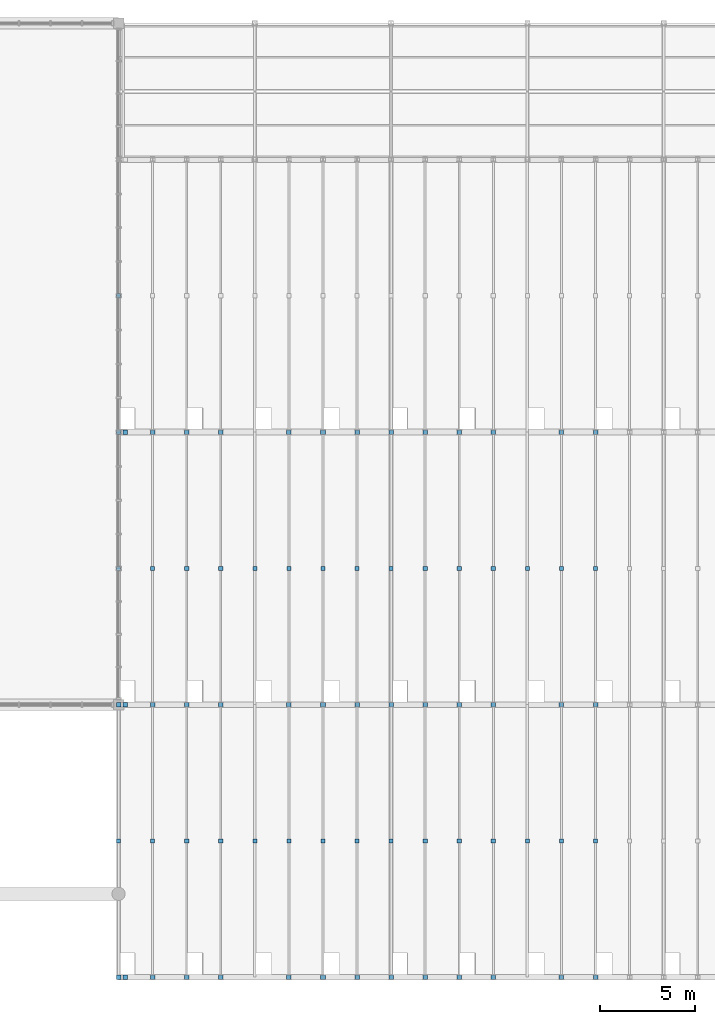
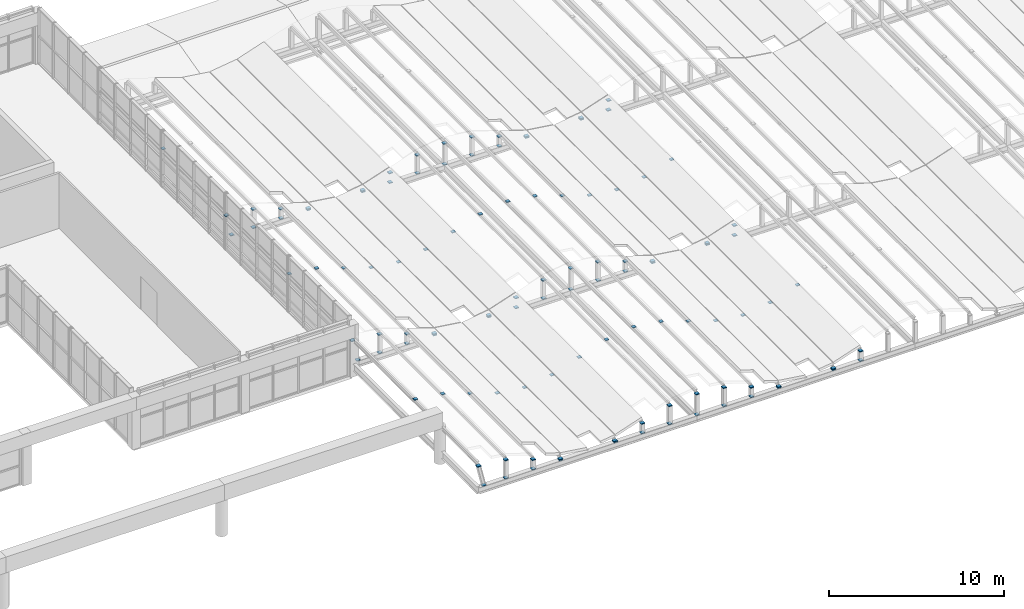
# One storey, part 71 of 83: 109 discrete accessories.
"""IFC4 building model written with IfcOpenShell, lengths in metres."""

from ifc_helpers import new_model, si_unit, direction, frame, origin, origin_2d, place, context, subcontext, project, spatial, rectangle, extrude, material, type_object, element, save


model = new_model("IFC4")

# Units and contexts
model_context = context("Model", 3, precision=1e-05, world=origin(), true_north=direction((0.0, 1.0)))
body_context = subcontext(model_context, "Body", "Model", "MODEL_VIEW")
ifc_project = project(units=[si_unit("LENGTHUNIT", "METRE"), si_unit("AREAUNIT", "SQUARE_METRE"), si_unit("VOLUMEUNIT", "CUBIC_METRE"), si_unit("PLANEANGLEUNIT", "RADIAN"), si_unit("MASSUNIT", "GRAM", prefix="KILO")], contexts=[model_context])

# Site, building, storey
site_placement = place(None, origin())
site = spatial("IfcSite", under=ifc_project, at=site_placement, CompositionType="ELEMENT")
building_placement = place(site_placement, origin())
building = spatial("IfcBuilding", under=site, at=building_placement, Name="Leyfeld Transit Interchange", CompositionType="ELEMENT")
storey_placement = place(building_placement, frame((0.0, 0.0, 5.39990234375)))
storey = spatial("IfcBuildingStorey", under=building, at=storey_placement, Name="L01", CompositionType="ELEMENT", Elevation=5.39990234375)

# Discrete accessories
ifc_material = material(Name="Steel S355J2", Category="steel")
discrete_accessory_type = type_object("IfcDiscreteAccessoryType", Name="ACC-BRK-PUR", PredefinedType="BRACKET", material=ifc_material)
discrete_accessory_1_placement = place(storey_placement, frame((100.800048828125, 7.199951171875, 2.60791015625), z_axis=(0.0, 0.0, 1.0), x_axis=(1.0, 0.0, 0.0)))
element("IfcDiscreteAccessory", 1, at=discrete_accessory_1_placement, inside=storey, type_object=discrete_accessory_type, Name="Wave Shell Purlin Cleat 001", PredefinedType="BRACKET", context=body_context, shape_type="SweptSolid", body=[
    extrude(rectangle(XDim=0.219970703125, YDim=0.219970703125, at=origin_2d()), origin(), (0.0, 0.0, 1.0), 0.050048828125),
])
for number, where, z_axis, x_axis, name in (
    (2, (101.14990234375, 0.0, 0.85009765625), (0.0, 0.0, 1.0), (1.0, 0.0, 0.0), "Riser Post Base Shoe 002"),
    (3, (100.800048828125, 0.0, 2.318115234375), (0.0, 0.0, 1.0), (1.0, 0.0, 0.0), "Riser Post Cap Shoe 002"),
):
    element("IfcDiscreteAccessory", number, at=place(storey_placement, frame(where, z_axis=z_axis, x_axis=x_axis)), inside=storey, type_object=discrete_accessory_type, Name=name, PredefinedType="BRACKET", context=body_context, shape_type="SweptSolid", body=[
        extrude(rectangle(XDim=0.239990234375, YDim=0.239990234375, at=origin_2d()), origin(), (0.0, 0.0, 1.0), 0.06005859375),
    ])
discrete_accessory_2_placement = place(storey_placement, frame((100.800048828125, 21.60009765625, 2.623046875), z_axis=(0.0, 0.0, 1.0), x_axis=(1.0, 0.0, 0.0)))
element("IfcDiscreteAccessory", 4, at=discrete_accessory_2_placement, inside=storey, type_object=discrete_accessory_type, Name="Wave Shell Purlin Cleat 003", PredefinedType="BRACKET", context=body_context, shape_type="SweptSolid", body=[
    extrude(rectangle(XDim=0.219970703125, YDim=0.219970703125, at=origin_2d()), origin(), (0.0, 0.0, 1.0), 0.050048828125),
])
for number, where, z_axis, x_axis, name in (
    (5, (101.14990234375, 14.39990234375, 0.85009765625), (0.0, 0.0, 1.0), (1.0, 0.0, 0.0), "Riser Post Base Shoe 004"),
    (6, (100.800048828125, 14.39990234375, 2.333251953125), (0.0, 0.0, 1.0), (1.0, 0.0, 0.0), "Riser Post Cap Shoe 004"),
):
    element("IfcDiscreteAccessory", number, at=place(storey_placement, frame(where, z_axis=z_axis, x_axis=x_axis)), inside=storey, type_object=discrete_accessory_type, Name=name, PredefinedType="BRACKET", context=body_context, shape_type="SweptSolid", body=[
        extrude(rectangle(XDim=0.239990234375, YDim=0.239990234375, at=origin_2d()), origin(), (0.0, 0.0, 1.0), 0.06005859375),
    ])
discrete_accessory_3_placement = place(storey_placement, frame((100.800048828125, 36.0, 2.60791015625), z_axis=(0.0, 0.0, 1.0), x_axis=(1.0, 0.0, 0.0)))
element("IfcDiscreteAccessory", 7, at=discrete_accessory_3_placement, inside=storey, type_object=discrete_accessory_type, Name="Wave Shell Purlin Cleat 005", PredefinedType="BRACKET", context=body_context, shape_type="SweptSolid", body=[
    extrude(rectangle(XDim=0.219970703125, YDim=0.219970703125, at=origin_2d()), origin(), (0.0, 0.0, 1.0), 0.050048828125),
])
for number, where, z_axis, x_axis, name in (
    (8, (101.14990234375, 28.800048828125, 0.85009765625), (0.0, 0.0, 1.0), (1.0, 0.0, 0.0), "Riser Post Base Shoe 006"),
    (9, (100.800048828125, 28.800048828125, 2.318115234375), (0.0, 0.0, 1.0), (1.0, 0.0, 0.0), "Riser Post Cap Shoe 006"),
):
    element("IfcDiscreteAccessory", number, at=place(storey_placement, frame(where, z_axis=z_axis, x_axis=x_axis)), inside=storey, type_object=discrete_accessory_type, Name=name, PredefinedType="BRACKET", context=body_context, shape_type="SweptSolid", body=[
        extrude(rectangle(XDim=0.239990234375, YDim=0.239990234375, at=origin_2d()), origin(), (0.0, 0.0, 1.0), 0.06005859375),
    ])
discrete_accessory_4_placement = place(storey_placement, frame((102.60009765625, 7.199951171875, 2.349609375), z_axis=(0.0, 0.0, 1.0), x_axis=(1.0, 0.0, 0.0)))
element("IfcDiscreteAccessory", 10, at=discrete_accessory_4_placement, inside=storey, type_object=discrete_accessory_type, Name="Wave Shell Purlin Cleat 008", PredefinedType="BRACKET", context=body_context, shape_type="SweptSolid", body=[
    extrude(rectangle(XDim=0.219970703125, YDim=0.219970703125, at=origin_2d()), origin(), (0.0, 0.0, 1.0), 0.050048828125),
])
for number, where, z_axis, x_axis, name in (
    (11, (102.60009765625, 0.0, 0.85009765625), (0.0, 0.0, 1.0), (1.0, 0.0, 0.0), "Riser Post Base Shoe 009"),
    (12, (102.60009765625, 0.0, 2.1298828125), (0.0, 0.0, 1.0), (1.0, 0.0, 0.0), "Riser Post Cap Shoe 009"),
):
    element("IfcDiscreteAccessory", number, at=place(storey_placement, frame(where, z_axis=z_axis, x_axis=x_axis)), inside=storey, type_object=discrete_accessory_type, Name=name, PredefinedType="BRACKET", context=body_context, shape_type="SweptSolid", body=[
        extrude(rectangle(XDim=0.239990234375, YDim=0.239990234375, at=origin_2d()), origin(), (0.0, 0.0, 1.0), 0.06005859375),
    ])
discrete_accessory_5_placement = place(storey_placement, frame((102.60009765625, 21.60009765625, 2.36572265625), z_axis=(0.0, 0.0, 1.0), x_axis=(1.0, 0.0, 0.0)))
element("IfcDiscreteAccessory", 13, at=discrete_accessory_5_placement, inside=storey, type_object=discrete_accessory_type, Name="Wave Shell Purlin Cleat 010", PredefinedType="BRACKET", context=body_context, shape_type="SweptSolid", body=[
    extrude(rectangle(XDim=0.219970703125, YDim=0.219970703125, at=origin_2d()), origin(), (0.0, 0.0, 1.0), 0.050048828125),
])
for number, where, z_axis, x_axis, name in (
    (14, (102.60009765625, 14.39990234375, 0.85009765625), (0.0, 0.0, 1.0), (1.0, 0.0, 0.0), "Riser Post Base Shoe 011"),
    (15, (102.60009765625, 14.39990234375, 2.1455078125), (0.0, 0.0, 1.0), (1.0, 0.0, 0.0), "Riser Post Cap Shoe 011"),
    (16, (102.60009765625, 28.800048828125, 0.85009765625), (0.0, 0.0, 1.0), (1.0, 0.0, 0.0), "Riser Post Base Shoe 013"),
    (17, (102.60009765625, 28.800048828125, 2.1298828125), (0.0, 0.0, 1.0), (1.0, 0.0, 0.0), "Riser Post Cap Shoe 013"),
):
    element("IfcDiscreteAccessory", number, at=place(storey_placement, frame(where, z_axis=z_axis, x_axis=x_axis)), inside=storey, type_object=discrete_accessory_type, Name=name, PredefinedType="BRACKET", context=body_context, shape_type="SweptSolid", body=[
        extrude(rectangle(XDim=0.239990234375, YDim=0.239990234375, at=origin_2d()), origin(), (0.0, 0.0, 1.0), 0.06005859375),
    ])
discrete_accessory_6_placement = place(storey_placement, frame((104.39990234375, 7.199951171875, 1.74658203125), z_axis=(0.0, 0.0, 1.0), x_axis=(1.0, 0.0, 0.0)))
element("IfcDiscreteAccessory", 18, at=discrete_accessory_6_placement, inside=storey, type_object=discrete_accessory_type, Name="Wave Shell Purlin Cleat 015", PredefinedType="BRACKET", context=body_context, shape_type="SweptSolid", body=[
    extrude(rectangle(XDim=0.219970703125, YDim=0.219970703125, at=origin_2d()), origin(), (0.0, 0.0, 1.0), 0.050048828125),
])
for number, where, z_axis, x_axis, name in (
    (19, (104.39990234375, 0.0, 0.85009765625), (0.0, 0.0, 1.0), (1.0, 0.0, 0.0), "Riser Post Base Shoe 016"),
    (20, (104.39990234375, 0.0, 1.526611328125), (0.0, 0.0, 1.0), (1.0, 0.0, 0.0), "Riser Post Cap Shoe 016"),
):
    element("IfcDiscreteAccessory", number, at=place(storey_placement, frame(where, z_axis=z_axis, x_axis=x_axis)), inside=storey, type_object=discrete_accessory_type, Name=name, PredefinedType="BRACKET", context=body_context, shape_type="SweptSolid", body=[
        extrude(rectangle(XDim=0.239990234375, YDim=0.239990234375, at=origin_2d()), origin(), (0.0, 0.0, 1.0), 0.06005859375),
    ])
discrete_accessory_7_placement = place(storey_placement, frame((104.39990234375, 21.60009765625, 1.76220703125), z_axis=(0.0, 0.0, 1.0), x_axis=(1.0, 0.0, 0.0)))
element("IfcDiscreteAccessory", 21, at=discrete_accessory_7_placement, inside=storey, type_object=discrete_accessory_type, Name="Wave Shell Purlin Cleat 017", PredefinedType="BRACKET", context=body_context, shape_type="SweptSolid", body=[
    extrude(rectangle(XDim=0.219970703125, YDim=0.219970703125, at=origin_2d()), origin(), (0.0, 0.0, 1.0), 0.050048828125),
])
for number, where, z_axis, x_axis, name in (
    (22, (104.39990234375, 14.39990234375, 0.85009765625), (0.0, 0.0, 1.0), (1.0, 0.0, 0.0), "Riser Post Base Shoe 018"),
    (23, (104.39990234375, 14.39990234375, 1.54248046875), (0.0, 0.0, 1.0), (1.0, 0.0, 0.0), "Riser Post Cap Shoe 018"),
    (24, (104.39990234375, 28.800048828125, 0.85009765625), (0.0, 0.0, 1.0), (1.0, 0.0, 0.0), "Riser Post Base Shoe 020"),
    (25, (104.39990234375, 28.800048828125, 1.526611328125), (0.0, 0.0, 1.0), (1.0, 0.0, 0.0), "Riser Post Cap Shoe 020"),
):
    element("IfcDiscreteAccessory", number, at=place(storey_placement, frame(where, z_axis=z_axis, x_axis=x_axis)), inside=storey, type_object=discrete_accessory_type, Name=name, PredefinedType="BRACKET", context=body_context, shape_type="SweptSolid", body=[
        extrude(rectangle(XDim=0.239990234375, YDim=0.239990234375, at=origin_2d()), origin(), (0.0, 0.0, 1.0), 0.06005859375),
    ])
discrete_accessory_8_placement = place(storey_placement, frame((106.199951171875, 7.199951171875, 1.14453125), z_axis=(0.0, 0.0, 1.0), x_axis=(1.0, 0.0, 0.0)))
element("IfcDiscreteAccessory", 26, at=discrete_accessory_8_placement, inside=storey, type_object=discrete_accessory_type, Name="Wave Shell Purlin Cleat 022", PredefinedType="BRACKET", context=body_context, shape_type="SweptSolid", body=[
    extrude(rectangle(XDim=0.219970703125, YDim=0.219970703125, at=origin_2d()), origin(), (0.0, 0.0, 1.0), 0.050048828125),
])
for number, where, z_axis, x_axis, name in (
    (27, (106.199951171875, 0.0, 0.85009765625), (0.0, 0.0, 1.0), (1.0, 0.0, 0.0), "Riser Post Base Shoe 023"),
    (28, (106.199951171875, 0.0, 0.9248046875), (0.0, 0.0, 1.0), (1.0, 0.0, 0.0), "Riser Post Cap Shoe 023"),
):
    element("IfcDiscreteAccessory", number, at=place(storey_placement, frame(where, z_axis=z_axis, x_axis=x_axis)), inside=storey, type_object=discrete_accessory_type, Name=name, PredefinedType="BRACKET", context=body_context, shape_type="SweptSolid", body=[
        extrude(rectangle(XDim=0.239990234375, YDim=0.239990234375, at=origin_2d()), origin(), (0.0, 0.0, 1.0), 0.06005859375),
    ])
discrete_accessory_9_placement = place(storey_placement, frame((106.199951171875, 21.60009765625, 1.16064453125), z_axis=(0.0, 0.0, 1.0), x_axis=(1.0, 0.0, 0.0)))
element("IfcDiscreteAccessory", 29, at=discrete_accessory_9_placement, inside=storey, type_object=discrete_accessory_type, Name="Wave Shell Purlin Cleat 024", PredefinedType="BRACKET", context=body_context, shape_type="SweptSolid", body=[
    extrude(rectangle(XDim=0.219970703125, YDim=0.219970703125, at=origin_2d()), origin(), (0.0, 0.0, 1.0), 0.050048828125),
])
for number, where, z_axis, x_axis, name in (
    (30, (106.199951171875, 14.39990234375, 0.85009765625), (0.0, 0.0, 1.0), (1.0, 0.0, 0.0), "Riser Post Base Shoe 025"),
    (31, (106.199951171875, 14.39990234375, 0.940673828125), (0.0, 0.0, 1.0), (1.0, 0.0, 0.0), "Riser Post Cap Shoe 025"),
    (32, (106.199951171875, 28.800048828125, 0.85009765625), (0.0, 0.0, 1.0), (1.0, 0.0, 0.0), "Riser Post Base Shoe 027"),
    (33, (106.199951171875, 28.800048828125, 0.9248046875), (0.0, 0.0, 1.0), (1.0, 0.0, 0.0), "Riser Post Cap Shoe 027"),
):
    element("IfcDiscreteAccessory", number, at=place(storey_placement, frame(where, z_axis=z_axis, x_axis=x_axis)), inside=storey, type_object=discrete_accessory_type, Name=name, PredefinedType="BRACKET", context=body_context, shape_type="SweptSolid", body=[
        extrude(rectangle(XDim=0.239990234375, YDim=0.239990234375, at=origin_2d()), origin(), (0.0, 0.0, 1.0), 0.06005859375),
    ])
for number, where, z_axis, x_axis, name in (
    (34, (108.0, 7.199951171875, 0.90234375), (0.0, 0.0, 1.0), (1.0, 0.0, 0.0), "Wave Shell Purlin Cleat 029"),
    (35, (108.0, 21.60009765625, 0.91796875), (0.0, 0.0, 1.0), (1.0, 0.0, 0.0), "Wave Shell Purlin Cleat 030"),
    (36, (109.800048828125, 7.199951171875, 1.14453125), (0.0, 0.0, 1.0), (1.0, 0.0, 0.0), "Wave Shell Purlin Cleat 032"),
):
    element("IfcDiscreteAccessory", number, at=place(storey_placement, frame(where, z_axis=z_axis, x_axis=x_axis)), inside=storey, type_object=discrete_accessory_type, Name=name, PredefinedType="BRACKET", context=body_context, shape_type="SweptSolid", body=[
        extrude(rectangle(XDim=0.219970703125, YDim=0.219970703125, at=origin_2d()), origin(), (0.0, 0.0, 1.0), 0.050048828125),
    ])
for number, where, z_axis, x_axis, name in (
    (37, (109.800048828125, 0.0, 0.85009765625), (0.0, 0.0, 1.0), (1.0, 0.0, 0.0), "Riser Post Base Shoe 033"),
    (38, (109.800048828125, 0.0, 0.9248046875), (0.0, 0.0, 1.0), (1.0, 0.0, 0.0), "Riser Post Cap Shoe 033"),
):
    element("IfcDiscreteAccessory", number, at=place(storey_placement, frame(where, z_axis=z_axis, x_axis=x_axis)), inside=storey, type_object=discrete_accessory_type, Name=name, PredefinedType="BRACKET", context=body_context, shape_type="SweptSolid", body=[
        extrude(rectangle(XDim=0.239990234375, YDim=0.239990234375, at=origin_2d()), origin(), (0.0, 0.0, 1.0), 0.06005859375),
    ])
discrete_accessory_10_placement = place(storey_placement, frame((109.800048828125, 21.60009765625, 1.16064453125), z_axis=(0.0, 0.0, 1.0), x_axis=(1.0, 0.0, 0.0)))
element("IfcDiscreteAccessory", 39, at=discrete_accessory_10_placement, inside=storey, type_object=discrete_accessory_type, Name="Wave Shell Purlin Cleat 034", PredefinedType="BRACKET", context=body_context, shape_type="SweptSolid", body=[
    extrude(rectangle(XDim=0.219970703125, YDim=0.219970703125, at=origin_2d()), origin(), (0.0, 0.0, 1.0), 0.050048828125),
])
for number, where, z_axis, x_axis, name in (
    (40, (109.800048828125, 14.39990234375, 0.85009765625), (0.0, 0.0, 1.0), (1.0, 0.0, 0.0), "Riser Post Base Shoe 035"),
    (41, (109.800048828125, 14.39990234375, 0.940673828125), (0.0, 0.0, 1.0), (1.0, 0.0, 0.0), "Riser Post Cap Shoe 035"),
    (42, (109.800048828125, 28.800048828125, 0.85009765625), (0.0, 0.0, 1.0), (1.0, 0.0, 0.0), "Riser Post Base Shoe 037"),
    (43, (109.800048828125, 28.800048828125, 0.9248046875), (0.0, 0.0, 1.0), (1.0, 0.0, 0.0), "Riser Post Cap Shoe 037"),
):
    element("IfcDiscreteAccessory", number, at=place(storey_placement, frame(where, z_axis=z_axis, x_axis=x_axis)), inside=storey, type_object=discrete_accessory_type, Name=name, PredefinedType="BRACKET", context=body_context, shape_type="SweptSolid", body=[
        extrude(rectangle(XDim=0.239990234375, YDim=0.239990234375, at=origin_2d()), origin(), (0.0, 0.0, 1.0), 0.06005859375),
    ])
discrete_accessory_11_placement = place(storey_placement, frame((111.60009765625, 7.199951171875, 1.74658203125), z_axis=(0.0, 0.0, 1.0), x_axis=(1.0, 0.0, 0.0)))
element("IfcDiscreteAccessory", 44, at=discrete_accessory_11_placement, inside=storey, type_object=discrete_accessory_type, Name="Wave Shell Purlin Cleat 039", PredefinedType="BRACKET", context=body_context, shape_type="SweptSolid", body=[
    extrude(rectangle(XDim=0.219970703125, YDim=0.219970703125, at=origin_2d()), origin(), (0.0, 0.0, 1.0), 0.050048828125),
])
for number, where, z_axis, x_axis, name in (
    (45, (111.60009765625, 0.0, 0.85009765625), (0.0, 0.0, 1.0), (1.0, 0.0, 0.0), "Riser Post Base Shoe 040"),
    (46, (111.60009765625, 0.0, 1.526611328125), (0.0, 0.0, 1.0), (1.0, 0.0, 0.0), "Riser Post Cap Shoe 040"),
):
    element("IfcDiscreteAccessory", number, at=place(storey_placement, frame(where, z_axis=z_axis, x_axis=x_axis)), inside=storey, type_object=discrete_accessory_type, Name=name, PredefinedType="BRACKET", context=body_context, shape_type="SweptSolid", body=[
        extrude(rectangle(XDim=0.239990234375, YDim=0.239990234375, at=origin_2d()), origin(), (0.0, 0.0, 1.0), 0.06005859375),
    ])
discrete_accessory_12_placement = place(storey_placement, frame((111.60009765625, 21.60009765625, 1.76220703125), z_axis=(0.0, 0.0, 1.0), x_axis=(1.0, 0.0, 0.0)))
element("IfcDiscreteAccessory", 47, at=discrete_accessory_12_placement, inside=storey, type_object=discrete_accessory_type, Name="Wave Shell Purlin Cleat 041", PredefinedType="BRACKET", context=body_context, shape_type="SweptSolid", body=[
    extrude(rectangle(XDim=0.219970703125, YDim=0.219970703125, at=origin_2d()), origin(), (0.0, 0.0, 1.0), 0.050048828125),
])
for number, where, z_axis, x_axis, name in (
    (48, (111.60009765625, 14.39990234375, 0.85009765625), (0.0, 0.0, 1.0), (1.0, 0.0, 0.0), "Riser Post Base Shoe 042"),
    (49, (111.60009765625, 14.39990234375, 1.54248046875), (0.0, 0.0, 1.0), (1.0, 0.0, 0.0), "Riser Post Cap Shoe 042"),
    (50, (111.60009765625, 28.800048828125, 0.85009765625), (0.0, 0.0, 1.0), (1.0, 0.0, 0.0), "Riser Post Base Shoe 044"),
    (51, (111.60009765625, 28.800048828125, 1.526611328125), (0.0, 0.0, 1.0), (1.0, 0.0, 0.0), "Riser Post Cap Shoe 044"),
):
    element("IfcDiscreteAccessory", number, at=place(storey_placement, frame(where, z_axis=z_axis, x_axis=x_axis)), inside=storey, type_object=discrete_accessory_type, Name=name, PredefinedType="BRACKET", context=body_context, shape_type="SweptSolid", body=[
        extrude(rectangle(XDim=0.239990234375, YDim=0.239990234375, at=origin_2d()), origin(), (0.0, 0.0, 1.0), 0.06005859375),
    ])
discrete_accessory_13_placement = place(storey_placement, frame((113.39990234375, 7.199951171875, 2.349609375), z_axis=(0.0, 0.0, 1.0), x_axis=(1.0, 0.0, 0.0)))
element("IfcDiscreteAccessory", 52, at=discrete_accessory_13_placement, inside=storey, type_object=discrete_accessory_type, Name="Wave Shell Purlin Cleat 046", PredefinedType="BRACKET", context=body_context, shape_type="SweptSolid", body=[
    extrude(rectangle(XDim=0.219970703125, YDim=0.219970703125, at=origin_2d()), origin(), (0.0, 0.0, 1.0), 0.050048828125),
])
for number, where, z_axis, x_axis, name in (
    (53, (113.39990234375, 0.0, 0.85009765625), (0.0, 0.0, 1.0), (1.0, 0.0, 0.0), "Riser Post Base Shoe 047"),
    (54, (113.39990234375, 0.0, 2.1298828125), (0.0, 0.0, 1.0), (1.0, 0.0, 0.0), "Riser Post Cap Shoe 047"),
):
    element("IfcDiscreteAccessory", number, at=place(storey_placement, frame(where, z_axis=z_axis, x_axis=x_axis)), inside=storey, type_object=discrete_accessory_type, Name=name, PredefinedType="BRACKET", context=body_context, shape_type="SweptSolid", body=[
        extrude(rectangle(XDim=0.239990234375, YDim=0.239990234375, at=origin_2d()), origin(), (0.0, 0.0, 1.0), 0.06005859375),
    ])
discrete_accessory_14_placement = place(storey_placement, frame((113.39990234375, 21.60009765625, 2.36572265625), z_axis=(0.0, 0.0, 1.0), x_axis=(1.0, 0.0, 0.0)))
element("IfcDiscreteAccessory", 55, at=discrete_accessory_14_placement, inside=storey, type_object=discrete_accessory_type, Name="Wave Shell Purlin Cleat 048", PredefinedType="BRACKET", context=body_context, shape_type="SweptSolid", body=[
    extrude(rectangle(XDim=0.219970703125, YDim=0.219970703125, at=origin_2d()), origin(), (0.0, 0.0, 1.0), 0.050048828125),
])
for number, where, z_axis, x_axis, name in (
    (56, (113.39990234375, 14.39990234375, 0.85009765625), (0.0, 0.0, 1.0), (1.0, 0.0, 0.0), "Riser Post Base Shoe 049"),
    (57, (113.39990234375, 14.39990234375, 2.1455078125), (0.0, 0.0, 1.0), (1.0, 0.0, 0.0), "Riser Post Cap Shoe 049"),
    (58, (113.39990234375, 28.800048828125, 0.85009765625), (0.0, 0.0, 1.0), (1.0, 0.0, 0.0), "Riser Post Base Shoe 051"),
    (59, (113.39990234375, 28.800048828125, 2.1298828125), (0.0, 0.0, 1.0), (1.0, 0.0, 0.0), "Riser Post Cap Shoe 051"),
):
    element("IfcDiscreteAccessory", number, at=place(storey_placement, frame(where, z_axis=z_axis, x_axis=x_axis)), inside=storey, type_object=discrete_accessory_type, Name=name, PredefinedType="BRACKET", context=body_context, shape_type="SweptSolid", body=[
        extrude(rectangle(XDim=0.239990234375, YDim=0.239990234375, at=origin_2d()), origin(), (0.0, 0.0, 1.0), 0.06005859375),
    ])
discrete_accessory_15_placement = place(storey_placement, frame((115.199951171875, 7.199951171875, 2.60791015625), z_axis=(0.0, 0.0, 1.0), x_axis=(1.0, 0.0, 0.0)))
element("IfcDiscreteAccessory", 60, at=discrete_accessory_15_placement, inside=storey, type_object=discrete_accessory_type, Name="Wave Shell Purlin Cleat 053", PredefinedType="BRACKET", context=body_context, shape_type="SweptSolid", body=[
    extrude(rectangle(XDim=0.219970703125, YDim=0.219970703125, at=origin_2d()), origin(), (0.0, 0.0, 1.0), 0.050048828125),
])
for number, where, z_axis, x_axis, name in (
    (61, (115.199951171875, 0.0, 0.85009765625), (0.0, 0.0, 1.0), (1.0, 0.0, 0.0), "Riser Post Base Shoe 054"),
    (62, (115.199951171875, 0.0, 2.318115234375), (0.0, 0.0, 1.0), (1.0, 0.0, 0.0), "Riser Post Cap Shoe 054"),
):
    element("IfcDiscreteAccessory", number, at=place(storey_placement, frame(where, z_axis=z_axis, x_axis=x_axis)), inside=storey, type_object=discrete_accessory_type, Name=name, PredefinedType="BRACKET", context=body_context, shape_type="SweptSolid", body=[
        extrude(rectangle(XDim=0.239990234375, YDim=0.239990234375, at=origin_2d()), origin(), (0.0, 0.0, 1.0), 0.06005859375),
    ])
discrete_accessory_16_placement = place(storey_placement, frame((115.199951171875, 21.60009765625, 2.623046875), z_axis=(0.0, 0.0, 1.0), x_axis=(1.0, 0.0, 0.0)))
element("IfcDiscreteAccessory", 63, at=discrete_accessory_16_placement, inside=storey, type_object=discrete_accessory_type, Name="Wave Shell Purlin Cleat 055", PredefinedType="BRACKET", context=body_context, shape_type="SweptSolid", body=[
    extrude(rectangle(XDim=0.219970703125, YDim=0.219970703125, at=origin_2d()), origin(), (0.0, 0.0, 1.0), 0.050048828125),
])
for number, where, z_axis, x_axis, name in (
    (64, (115.199951171875, 14.39990234375, 0.85009765625), (0.0, 0.0, 1.0), (1.0, 0.0, 0.0), "Riser Post Base Shoe 056"),
    (65, (115.199951171875, 14.39990234375, 2.333251953125), (0.0, 0.0, 1.0), (1.0, 0.0, 0.0), "Riser Post Cap Shoe 056"),
    (66, (115.199951171875, 28.800048828125, 0.85009765625), (0.0, 0.0, 1.0), (1.0, 0.0, 0.0), "Riser Post Base Shoe 058"),
    (67, (115.199951171875, 28.800048828125, 2.318115234375), (0.0, 0.0, 1.0), (1.0, 0.0, 0.0), "Riser Post Cap Shoe 058"),
):
    element("IfcDiscreteAccessory", number, at=place(storey_placement, frame(where, z_axis=z_axis, x_axis=x_axis)), inside=storey, type_object=discrete_accessory_type, Name=name, PredefinedType="BRACKET", context=body_context, shape_type="SweptSolid", body=[
        extrude(rectangle(XDim=0.239990234375, YDim=0.239990234375, at=origin_2d()), origin(), (0.0, 0.0, 1.0), 0.06005859375),
    ])
discrete_accessory_17_placement = place(storey_placement, frame((117.0, 7.199951171875, 2.349609375), z_axis=(0.0, 0.0, 1.0), x_axis=(1.0, 0.0, 0.0)))
element("IfcDiscreteAccessory", 68, at=discrete_accessory_17_placement, inside=storey, type_object=discrete_accessory_type, Name="Wave Shell Purlin Cleat 060", PredefinedType="BRACKET", context=body_context, shape_type="SweptSolid", body=[
    extrude(rectangle(XDim=0.219970703125, YDim=0.219970703125, at=origin_2d()), origin(), (0.0, 0.0, 1.0), 0.050048828125),
])
for number, where, z_axis, x_axis, name in (
    (69, (117.0, 0.0, 0.85009765625), (0.0, 0.0, 1.0), (1.0, 0.0, 0.0), "Riser Post Base Shoe 061"),
    (70, (117.0, 0.0, 2.1298828125), (0.0, 0.0, 1.0), (1.0, 0.0, 0.0), "Riser Post Cap Shoe 061"),
):
    element("IfcDiscreteAccessory", number, at=place(storey_placement, frame(where, z_axis=z_axis, x_axis=x_axis)), inside=storey, type_object=discrete_accessory_type, Name=name, PredefinedType="BRACKET", context=body_context, shape_type="SweptSolid", body=[
        extrude(rectangle(XDim=0.239990234375, YDim=0.239990234375, at=origin_2d()), origin(), (0.0, 0.0, 1.0), 0.06005859375),
    ])
discrete_accessory_18_placement = place(storey_placement, frame((117.0, 21.60009765625, 2.36572265625), z_axis=(0.0, 0.0, 1.0), x_axis=(1.0, 0.0, 0.0)))
element("IfcDiscreteAccessory", 71, at=discrete_accessory_18_placement, inside=storey, type_object=discrete_accessory_type, Name="Wave Shell Purlin Cleat 062", PredefinedType="BRACKET", context=body_context, shape_type="SweptSolid", body=[
    extrude(rectangle(XDim=0.219970703125, YDim=0.219970703125, at=origin_2d()), origin(), (0.0, 0.0, 1.0), 0.050048828125),
])
for number, where, z_axis, x_axis, name in (
    (72, (117.0, 14.39990234375, 0.85009765625), (0.0, 0.0, 1.0), (1.0, 0.0, 0.0), "Riser Post Base Shoe 063"),
    (73, (117.0, 14.39990234375, 2.1455078125), (0.0, 0.0, 1.0), (1.0, 0.0, 0.0), "Riser Post Cap Shoe 063"),
    (74, (117.0, 28.800048828125, 0.85009765625), (0.0, 0.0, 1.0), (1.0, 0.0, 0.0), "Riser Post Base Shoe 065"),
    (75, (117.0, 28.800048828125, 2.1298828125), (0.0, 0.0, 1.0), (1.0, 0.0, 0.0), "Riser Post Cap Shoe 065"),
):
    element("IfcDiscreteAccessory", number, at=place(storey_placement, frame(where, z_axis=z_axis, x_axis=x_axis)), inside=storey, type_object=discrete_accessory_type, Name=name, PredefinedType="BRACKET", context=body_context, shape_type="SweptSolid", body=[
        extrude(rectangle(XDim=0.239990234375, YDim=0.239990234375, at=origin_2d()), origin(), (0.0, 0.0, 1.0), 0.06005859375),
    ])
discrete_accessory_19_placement = place(storey_placement, frame((118.800048828125, 7.199951171875, 1.74658203125), z_axis=(0.0, 0.0, 1.0), x_axis=(1.0, 0.0, 0.0)))
element("IfcDiscreteAccessory", 76, at=discrete_accessory_19_placement, inside=storey, type_object=discrete_accessory_type, Name="Wave Shell Purlin Cleat 067", PredefinedType="BRACKET", context=body_context, shape_type="SweptSolid", body=[
    extrude(rectangle(XDim=0.219970703125, YDim=0.219970703125, at=origin_2d()), origin(), (0.0, 0.0, 1.0), 0.050048828125),
])
for number, where, z_axis, x_axis, name in (
    (77, (118.800048828125, 0.0, 0.85009765625), (0.0, 0.0, 1.0), (1.0, 0.0, 0.0), "Riser Post Base Shoe 068"),
    (78, (118.800048828125, 0.0, 1.526611328125), (0.0, 0.0, 1.0), (1.0, 0.0, 0.0), "Riser Post Cap Shoe 068"),
):
    element("IfcDiscreteAccessory", number, at=place(storey_placement, frame(where, z_axis=z_axis, x_axis=x_axis)), inside=storey, type_object=discrete_accessory_type, Name=name, PredefinedType="BRACKET", context=body_context, shape_type="SweptSolid", body=[
        extrude(rectangle(XDim=0.239990234375, YDim=0.239990234375, at=origin_2d()), origin(), (0.0, 0.0, 1.0), 0.06005859375),
    ])
discrete_accessory_20_placement = place(storey_placement, frame((118.800048828125, 21.60009765625, 1.76220703125), z_axis=(0.0, 0.0, 1.0), x_axis=(1.0, 0.0, 0.0)))
element("IfcDiscreteAccessory", 79, at=discrete_accessory_20_placement, inside=storey, type_object=discrete_accessory_type, Name="Wave Shell Purlin Cleat 069", PredefinedType="BRACKET", context=body_context, shape_type="SweptSolid", body=[
    extrude(rectangle(XDim=0.219970703125, YDim=0.219970703125, at=origin_2d()), origin(), (0.0, 0.0, 1.0), 0.050048828125),
])
for number, where, z_axis, x_axis, name in (
    (80, (118.800048828125, 14.39990234375, 0.85009765625), (0.0, 0.0, 1.0), (1.0, 0.0, 0.0), "Riser Post Base Shoe 070"),
    (81, (118.800048828125, 14.39990234375, 1.54248046875), (0.0, 0.0, 1.0), (1.0, 0.0, 0.0), "Riser Post Cap Shoe 070"),
    (82, (118.800048828125, 28.800048828125, 0.85009765625), (0.0, 0.0, 1.0), (1.0, 0.0, 0.0), "Riser Post Base Shoe 072"),
    (83, (118.800048828125, 28.800048828125, 1.526611328125), (0.0, 0.0, 1.0), (1.0, 0.0, 0.0), "Riser Post Cap Shoe 072"),
):
    element("IfcDiscreteAccessory", number, at=place(storey_placement, frame(where, z_axis=z_axis, x_axis=x_axis)), inside=storey, type_object=discrete_accessory_type, Name=name, PredefinedType="BRACKET", context=body_context, shape_type="SweptSolid", body=[
        extrude(rectangle(XDim=0.239990234375, YDim=0.239990234375, at=origin_2d()), origin(), (0.0, 0.0, 1.0), 0.06005859375),
    ])
discrete_accessory_21_placement = place(storey_placement, frame((120.60009765625, 7.199951171875, 1.14453125), z_axis=(0.0, 0.0, 1.0), x_axis=(1.0, 0.0, 0.0)))
element("IfcDiscreteAccessory", 84, at=discrete_accessory_21_placement, inside=storey, type_object=discrete_accessory_type, Name="Wave Shell Purlin Cleat 074", PredefinedType="BRACKET", context=body_context, shape_type="SweptSolid", body=[
    extrude(rectangle(XDim=0.219970703125, YDim=0.219970703125, at=origin_2d()), origin(), (0.0, 0.0, 1.0), 0.050048828125),
])
for number, where, z_axis, x_axis, name in (
    (85, (120.60009765625, 0.0, 0.85009765625), (0.0, 0.0, 1.0), (1.0, 0.0, 0.0), "Riser Post Base Shoe 075"),
    (86, (120.60009765625, 0.0, 0.9248046875), (0.0, 0.0, 1.0), (1.0, 0.0, 0.0), "Riser Post Cap Shoe 075"),
):
    element("IfcDiscreteAccessory", number, at=place(storey_placement, frame(where, z_axis=z_axis, x_axis=x_axis)), inside=storey, type_object=discrete_accessory_type, Name=name, PredefinedType="BRACKET", context=body_context, shape_type="SweptSolid", body=[
        extrude(rectangle(XDim=0.239990234375, YDim=0.239990234375, at=origin_2d()), origin(), (0.0, 0.0, 1.0), 0.06005859375),
    ])
discrete_accessory_22_placement = place(storey_placement, frame((120.60009765625, 21.60009765625, 1.16064453125), z_axis=(0.0, 0.0, 1.0), x_axis=(1.0, 0.0, 0.0)))
element("IfcDiscreteAccessory", 87, at=discrete_accessory_22_placement, inside=storey, type_object=discrete_accessory_type, Name="Wave Shell Purlin Cleat 076", PredefinedType="BRACKET", context=body_context, shape_type="SweptSolid", body=[
    extrude(rectangle(XDim=0.219970703125, YDim=0.219970703125, at=origin_2d()), origin(), (0.0, 0.0, 1.0), 0.050048828125),
])
for number, where, z_axis, x_axis, name in (
    (88, (120.60009765625, 14.39990234375, 0.85009765625), (0.0, 0.0, 1.0), (1.0, 0.0, 0.0), "Riser Post Base Shoe 077"),
    (89, (120.60009765625, 14.39990234375, 0.940673828125), (0.0, 0.0, 1.0), (1.0, 0.0, 0.0), "Riser Post Cap Shoe 077"),
    (90, (120.60009765625, 28.800048828125, 0.85009765625), (0.0, 0.0, 1.0), (1.0, 0.0, 0.0), "Riser Post Base Shoe 079"),
    (91, (120.60009765625, 28.800048828125, 0.9248046875), (0.0, 0.0, 1.0), (1.0, 0.0, 0.0), "Riser Post Cap Shoe 079"),
):
    element("IfcDiscreteAccessory", number, at=place(storey_placement, frame(where, z_axis=z_axis, x_axis=x_axis)), inside=storey, type_object=discrete_accessory_type, Name=name, PredefinedType="BRACKET", context=body_context, shape_type="SweptSolid", body=[
        extrude(rectangle(XDim=0.239990234375, YDim=0.239990234375, at=origin_2d()), origin(), (0.0, 0.0, 1.0), 0.06005859375),
    ])
for number, where, z_axis, x_axis, name in (
    (92, (122.39990234375, 7.199951171875, 0.90234375), (0.0, 0.0, 1.0), (1.0, 0.0, 0.0), "Wave Shell Purlin Cleat 081"),
    (93, (122.39990234375, 21.60009765625, 0.91796875), (0.0, 0.0, 1.0), (1.0, 0.0, 0.0), "Wave Shell Purlin Cleat 082"),
    (94, (124.199951171875, 7.199951171875, 1.14453125), (0.0, 0.0, 1.0), (1.0, 0.0, 0.0), "Wave Shell Purlin Cleat 084"),
):
    element("IfcDiscreteAccessory", number, at=place(storey_placement, frame(where, z_axis=z_axis, x_axis=x_axis)), inside=storey, type_object=discrete_accessory_type, Name=name, PredefinedType="BRACKET", context=body_context, shape_type="SweptSolid", body=[
        extrude(rectangle(XDim=0.219970703125, YDim=0.219970703125, at=origin_2d()), origin(), (0.0, 0.0, 1.0), 0.050048828125),
    ])
for number, where, z_axis, x_axis, name in (
    (95, (124.199951171875, 0.0, 0.85009765625), (0.0, 0.0, 1.0), (1.0, 0.0, 0.0), "Riser Post Base Shoe 085"),
    (96, (124.199951171875, 0.0, 0.9248046875), (0.0, 0.0, 1.0), (1.0, 0.0, 0.0), "Riser Post Cap Shoe 085"),
):
    element("IfcDiscreteAccessory", number, at=place(storey_placement, frame(where, z_axis=z_axis, x_axis=x_axis)), inside=storey, type_object=discrete_accessory_type, Name=name, PredefinedType="BRACKET", context=body_context, shape_type="SweptSolid", body=[
        extrude(rectangle(XDim=0.239990234375, YDim=0.239990234375, at=origin_2d()), origin(), (0.0, 0.0, 1.0), 0.06005859375),
    ])
discrete_accessory_23_placement = place(storey_placement, frame((124.199951171875, 21.60009765625, 1.16064453125), z_axis=(0.0, 0.0, 1.0), x_axis=(1.0, 0.0, 0.0)))
element("IfcDiscreteAccessory", 97, at=discrete_accessory_23_placement, inside=storey, type_object=discrete_accessory_type, Name="Wave Shell Purlin Cleat 086", PredefinedType="BRACKET", context=body_context, shape_type="SweptSolid", body=[
    extrude(rectangle(XDim=0.219970703125, YDim=0.219970703125, at=origin_2d()), origin(), (0.0, 0.0, 1.0), 0.050048828125),
])
for number, where, z_axis, x_axis, name in (
    (98, (124.199951171875, 14.39990234375, 0.85009765625), (0.0, 0.0, 1.0), (1.0, 0.0, 0.0), "Riser Post Base Shoe 087"),
    (99, (124.199951171875, 14.39990234375, 0.940673828125), (0.0, 0.0, 1.0), (1.0, 0.0, 0.0), "Riser Post Cap Shoe 087"),
    (100, (124.199951171875, 28.800048828125, 0.85009765625), (0.0, 0.0, 1.0), (1.0, 0.0, 0.0), "Riser Post Base Shoe 089"),
    (101, (124.199951171875, 28.800048828125, 0.9248046875), (0.0, 0.0, 1.0), (1.0, 0.0, 0.0), "Riser Post Cap Shoe 089"),
):
    element("IfcDiscreteAccessory", number, at=place(storey_placement, frame(where, z_axis=z_axis, x_axis=x_axis)), inside=storey, type_object=discrete_accessory_type, Name=name, PredefinedType="BRACKET", context=body_context, shape_type="SweptSolid", body=[
        extrude(rectangle(XDim=0.239990234375, YDim=0.239990234375, at=origin_2d()), origin(), (0.0, 0.0, 1.0), 0.06005859375),
    ])
discrete_accessory_24_placement = place(storey_placement, frame((126.0, 7.199951171875, 1.74658203125), z_axis=(0.0, 0.0, 1.0), x_axis=(1.0, 0.0, 0.0)))
element("IfcDiscreteAccessory", 102, at=discrete_accessory_24_placement, inside=storey, type_object=discrete_accessory_type, Name="Wave Shell Purlin Cleat 091", PredefinedType="BRACKET", context=body_context, shape_type="SweptSolid", body=[
    extrude(rectangle(XDim=0.219970703125, YDim=0.219970703125, at=origin_2d()), origin(), (0.0, 0.0, 1.0), 0.050048828125),
])
for number, where, z_axis, x_axis, name in (
    (103, (126.0, 0.0, 0.85009765625), (0.0, 0.0, 1.0), (1.0, 0.0, 0.0), "Riser Post Base Shoe 092"),
    (104, (126.0, 0.0, 1.526611328125), (0.0, 0.0, 1.0), (1.0, 0.0, 0.0), "Riser Post Cap Shoe 092"),
):
    element("IfcDiscreteAccessory", number, at=place(storey_placement, frame(where, z_axis=z_axis, x_axis=x_axis)), inside=storey, type_object=discrete_accessory_type, Name=name, PredefinedType="BRACKET", context=body_context, shape_type="SweptSolid", body=[
        extrude(rectangle(XDim=0.239990234375, YDim=0.239990234375, at=origin_2d()), origin(), (0.0, 0.0, 1.0), 0.06005859375),
    ])
discrete_accessory_25_placement = place(storey_placement, frame((126.0, 21.60009765625, 1.76220703125), z_axis=(0.0, 0.0, 1.0), x_axis=(1.0, 0.0, 0.0)))
element("IfcDiscreteAccessory", 105, at=discrete_accessory_25_placement, inside=storey, type_object=discrete_accessory_type, Name="Wave Shell Purlin Cleat 093", PredefinedType="BRACKET", context=body_context, shape_type="SweptSolid", body=[
    extrude(rectangle(XDim=0.219970703125, YDim=0.219970703125, at=origin_2d()), origin(), (0.0, 0.0, 1.0), 0.050048828125),
])
for number, where, z_axis, x_axis, name in (
    (106, (126.0, 14.39990234375, 0.85009765625), (0.0, 0.0, 1.0), (1.0, 0.0, 0.0), "Riser Post Base Shoe 094"),
    (107, (126.0, 14.39990234375, 1.54248046875), (0.0, 0.0, 1.0), (1.0, 0.0, 0.0), "Riser Post Cap Shoe 094"),
    (108, (126.0, 28.800048828125, 0.85009765625), (0.0, 0.0, 1.0), (1.0, 0.0, 0.0), "Riser Post Base Shoe 096"),
    (109, (126.0, 28.800048828125, 1.526611328125), (0.0, 0.0, 1.0), (1.0, 0.0, 0.0), "Riser Post Cap Shoe 096"),
):
    element("IfcDiscreteAccessory", number, at=place(storey_placement, frame(where, z_axis=z_axis, x_axis=x_axis)), inside=storey, type_object=discrete_accessory_type, Name=name, PredefinedType="BRACKET", context=body_context, shape_type="SweptSolid", body=[
        extrude(rectangle(XDim=0.239990234375, YDim=0.239990234375, at=origin_2d()), origin(), (0.0, 0.0, 1.0), 0.06005859375),
    ])

save(model, "model.ifc")
